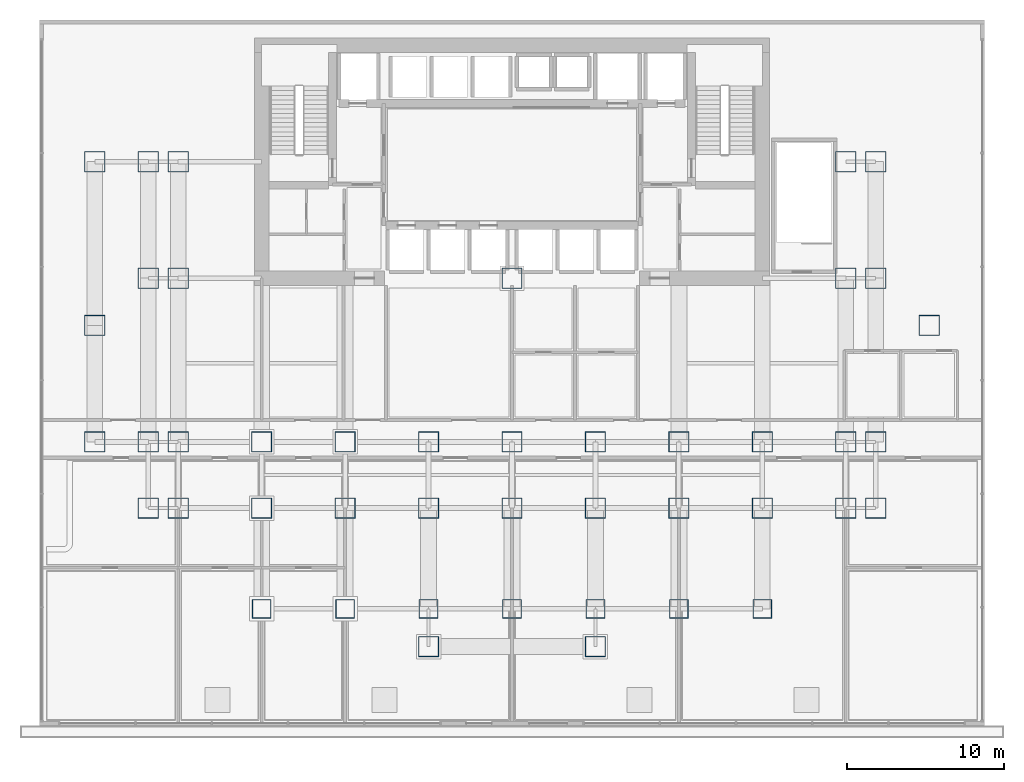
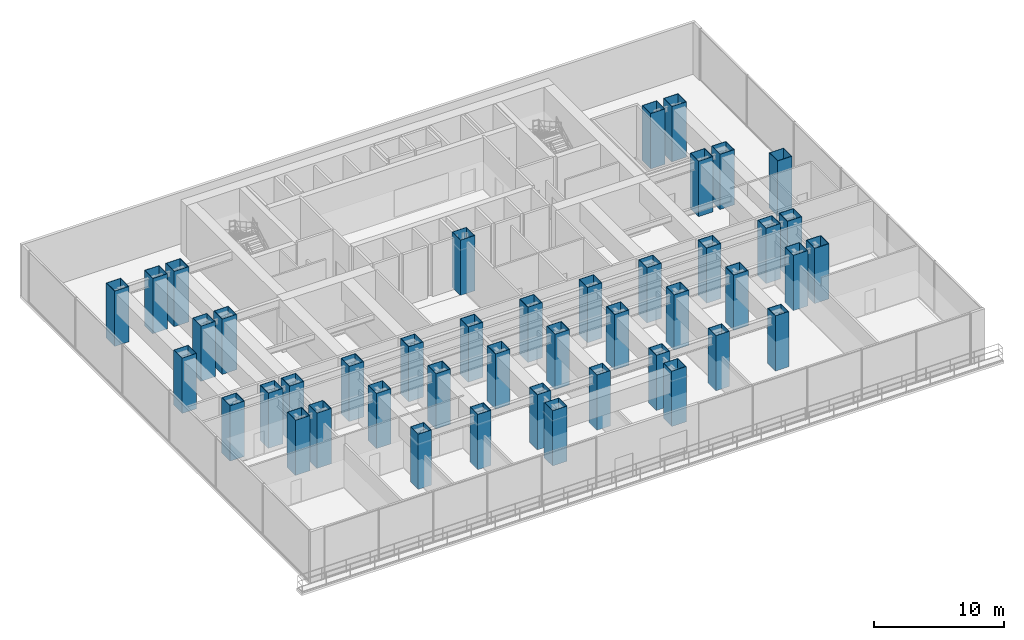
# One storey, part 1 of 12: 44 columns.
"""IFC4 building model written with IfcOpenShell, lengths in metres."""

from ifc_helpers import new_model, si_unit, direction, frame, origin, origin_2d, place, context, subcontext, project, spatial, hollow_rectangle, extrude, material, material_profile, profile_set, type_object, element, save


model = new_model("IFC4")

# Units and contexts
model_context = context("Model", 3, precision=1e-05, world=origin(), true_north=direction((0.0, 1.0)))
body_context = subcontext(model_context, "Body", "Model", "MODEL_VIEW")
ifc_project = project(units=[si_unit("LENGTHUNIT", "METRE"), si_unit("AREAUNIT", "SQUARE_METRE"), si_unit("VOLUMEUNIT", "CUBIC_METRE"), si_unit("PLANEANGLEUNIT", "RADIAN"), si_unit("MASSUNIT", "GRAM", prefix="KILO")], contexts=[model_context])

# Site, building, storey
site_placement = place(None, origin())
site = spatial("IfcSite", under=ifc_project, at=site_placement, CompositionType="ELEMENT")
building_placement = place(site_placement, origin())
building = spatial("IfcBuilding", under=site, at=building_placement, Name="Qianlan Lanfeng Residences", CompositionType="ELEMENT")
storey_placement = place(building_placement, frame((0.0, 0.0, 19.0)))
storey = spatial("IfcBuildingStorey", under=building, at=storey_placement, Name="L04", CompositionType="ELEMENT", Elevation=19.0)

# Columns
ifc_material = material(Name="Steel SM570 (420 MPa)", Category="steel")
ifc_material_profile_1 = material_profile(ifc_material, hollow_rectangle(XDim=1.300048828125, YDim=1.300048828125, WallThickness=0.0419921875, at=origin_2d()), Name="BOX 1300x1300x42")
ifc_profile_set_1 = profile_set([ifc_material_profile_1], Name="Steel SM570 (420 MPa)")
column_type_1 = type_object("IfcColumnType", Name="C-B1500", PredefinedType="COLUMN", material=ifc_profile_set_1)
for number, where, z_axis, x_axis, name in (
    (1, (21.199951171875, 1.800048828125, 0.0), (0.0, 0.0, 1.0), (1.0, 0.0, 0.0), "L04 Structural Column P_21.20_1.80"),
    (2, (31.800048828125, 1.800048828125, 0.0), (0.0, 0.0, 1.0), (1.0, 0.0, 0.0), "L04 Structural Column P_31.80_1.80"),
    (3, (26.5, 25.199951171875, 0.0), (0.0, 0.0, 1.0), (1.0, 0.0, 0.0), "L04 Structural Column CP_26.5_25.2"),
    (4, (10.60009765625, 14.800048828125, 0.0), (0.0, 0.0, 1.0), (1.0, 0.0, 0.0), "L04 Structural Column M_10.60_14.80"),
    (5, (10.60009765625, 10.60009765625, 0.0), (0.0, 0.0, 1.0), (1.0, 0.0, 0.0), "L04 Structural Column G_10.60_10.60"),
    (6, (15.89990234375, 14.800048828125, 0.0), (0.0, 0.0, 1.0), (1.0, 0.0, 0.0), "L04 Structural Column M_15.90_14.80"),
    (7, (15.89990234375, 10.60009765625, 0.0), (0.0, 0.0, 1.0), (1.0, 0.0, 0.0), "L04 Structural Column G_15.90_10.60"),
    (8, (21.199951171875, 14.800048828125, 0.0), (0.0, 0.0, 1.0), (1.0, 0.0, 0.0), "L04 Structural Column M_21.20_14.80"),
    (9, (21.199951171875, 10.60009765625, 0.0), (0.0, 0.0, 1.0), (1.0, 0.0, 0.0), "L04 Structural Column G_21.20_10.60"),
    (10, (26.5, 14.800048828125, 0.0), (0.0, 0.0, 1.0), (1.0, 0.0, 0.0), "L04 Structural Column M_26.50_14.80"),
    (11, (26.5, 10.60009765625, 0.0), (0.0, 0.0, 1.0), (1.0, 0.0, 0.0), "L04 Structural Column G_26.50_10.60"),
    (12, (31.800048828125, 14.800048828125, 0.0), (0.0, 0.0, 1.0), (1.0, 0.0, 0.0), "L04 Structural Column M_31.80_14.80"),
    (13, (31.800048828125, 10.60009765625, 0.0), (0.0, 0.0, 1.0), (1.0, 0.0, 0.0), "L04 Structural Column G_31.80_10.60"),
    (14, (37.10009765625, 14.800048828125, 0.0), (0.0, 0.0, 1.0), (1.0, 0.0, 0.0), "L04 Structural Column M_37.10_14.80"),
    (15, (37.10009765625, 10.60009765625, 0.0), (0.0, 0.0, 1.0), (1.0, 0.0, 0.0), "L04 Structural Column G_37.10_10.60"),
    (16, (42.39990234375, 14.800048828125, 0.0), (0.0, 0.0, 1.0), (1.0, 0.0, 0.0), "L04 Structural Column M_42.40_14.80"),
    (17, (42.39990234375, 10.60009765625, 0.0), (0.0, 0.0, 1.0), (1.0, 0.0, 0.0), "L04 Structural Column G_42.40_10.60"),
    (18, (3.39990234375, 10.60009765625, 0.0), (0.0, 0.0, 1.0), (1.0, 0.0, 0.0), "L04 Structural Column W_3.40_10.60"),
    (19, (3.39990234375, 14.800048828125, 0.0), (0.0, 0.0, 1.0), (1.0, 0.0, 0.0), "L04 Structural Column W_3.40_14.80"),
    (20, (3.39990234375, 25.199951171875, 0.0), (0.0, 0.0, 1.0), (1.0, 0.0, 0.0), "L04 Structural Column W_3.40_25.20"),
    (21, (3.39990234375, 32.60009765625, 0.0), (0.0, 0.0, 1.0), (1.0, 0.0, 0.0), "L04 Structural Column W_3.40_32.60"),
    (22, (5.300048828125, 10.60009765625, 0.0), (0.0, 0.0, 1.0), (1.0, 0.0, 0.0), "L04 Structural Column W_5.30_10.60"),
    (23, (5.300048828125, 14.800048828125, 0.0), (0.0, 0.0, 1.0), (1.0, 0.0, 0.0), "L04 Structural Column W_5.30_14.80"),
    (24, (5.300048828125, 25.199951171875, 0.0), (0.0, 0.0, 1.0), (1.0, 0.0, 0.0), "L04 Structural Column W_5.30_25.20"),
    (25, (5.300048828125, 32.60009765625, 0.0), (0.0, 0.0, 1.0), (1.0, 0.0, 0.0), "L04 Structural Column W_5.30_32.60"),
    (26, (47.699951171875, 10.60009765625, 0.0), (0.0, 0.0, 1.0), (1.0, 0.0, 0.0), "L04 Structural Column W_47.70_10.60"),
    (27, (47.699951171875, 14.800048828125, 0.0), (0.0, 0.0, 1.0), (1.0, 0.0, 0.0), "L04 Structural Column W_47.70_14.80"),
    (28, (47.699951171875, 25.199951171875, 0.0), (0.0, 0.0, 1.0), (1.0, 0.0, 0.0), "L04 Structural Column W_47.70_25.20"),
    (29, (47.699951171875, 32.60009765625, 0.0), (0.0, 0.0, 1.0), (1.0, 0.0, 0.0), "L04 Structural Column W_47.70_32.60"),
    (30, (49.60009765625, 10.60009765625, 0.0), (0.0, 0.0, 1.0), (1.0, 0.0, 0.0), "L04 Structural Column W_49.60_10.60"),
    (31, (49.60009765625, 14.800048828125, 0.0), (0.0, 0.0, 1.0), (1.0, 0.0, 0.0), "L04 Structural Column W_49.60_14.80"),
    (32, (49.60009765625, 25.199951171875, 0.0), (0.0, 0.0, 1.0), (1.0, 0.0, 0.0), "L04 Structural Column W_49.60_25.20"),
    (33, (49.60009765625, 32.60009765625, 0.0), (0.0, 0.0, 1.0), (1.0, 0.0, 0.0), "L04 Structural Column W_49.60_32.60"),
    (34, (0.0, 14.800048828125, 0.0), (0.0, 0.0, 1.0), (1.0, 0.0, 0.0), "L04 Structural Column P_+0.0_+14.8"),
    (35, (0.0, 22.199951171875, 0.0), (0.0, 0.0, 1.0), (1.0, 0.0, 0.0), "L04 Structural Column P_+0.0_+22.2"),
    (36, (0.0, 32.60009765625, 0.0), (0.0, 0.0, 1.0), (1.0, 0.0, 0.0), "L04 Structural Column P_+0.0_+32.6"),
    (37, (53.0, 22.199951171875, 0.0), (0.0, 0.0, 1.0), (1.0, 0.0, 0.0), "L04 Structural Column P_+53.0_+22.2"),
):
    element("IfcColumn", number, at=place(storey_placement, frame(where, z_axis=z_axis, x_axis=x_axis)), inside=storey, type_object=column_type_1, Name=name, PredefinedType="COLUMN", context=body_context, shape_type="SweptSolid", body=[
        extrude(hollow_rectangle(XDim=1.300048828125, YDim=1.300048828125, WallThickness=0.0419921875, at=origin_2d()), origin(), (0.0, 0.0, 1.0), 5.199951171875),
    ])
ifc_material_profile_2 = material_profile(ifc_material, hollow_rectangle(XDim=1.199951171875, YDim=1.199951171875, WallThickness=0.0400390625, at=origin_2d()), Name="BOX 1200x1200x40")
ifc_profile_set_2 = profile_set([ifc_material_profile_2], Name="Steel SM570 (420 MPa)")
column_type_2 = type_object("IfcColumnType", Name="CE-B1400", PredefinedType="COLUMN", material=ifc_profile_set_2)
for number, where, z_axis, x_axis, name in (
    (38, (10.60009765625, 4.199951171875, 0.0), (0.0, 0.0, 1.0), (1.0, 0.0, 0.0), "L04 Structural Column S_10.60_4.20"),
    (39, (15.89990234375, 4.199951171875, 0.0), (0.0, 0.0, 1.0), (1.0, 0.0, 0.0), "L04 Structural Column S_15.90_4.20"),
    (40, (21.199951171875, 4.199951171875, 0.0), (0.0, 0.0, 1.0), (1.0, 0.0, 0.0), "L04 Structural Column S_21.20_4.20"),
    (41, (26.5, 4.199951171875, 0.0), (0.0, 0.0, 1.0), (1.0, 0.0, 0.0), "L04 Structural Column S_26.50_4.20"),
    (42, (31.800048828125, 4.199951171875, 0.0), (0.0, 0.0, 1.0), (1.0, 0.0, 0.0), "L04 Structural Column S_31.80_4.20"),
    (43, (37.10009765625, 4.199951171875, 0.0), (0.0, 0.0, 1.0), (1.0, 0.0, 0.0), "L04 Structural Column S_37.10_4.20"),
    (44, (42.39990234375, 4.199951171875, 0.0), (0.0, 0.0, 1.0), (1.0, 0.0, 0.0), "L04 Structural Column S_42.40_4.20"),
):
    element("IfcColumn", number, at=place(storey_placement, frame(where, z_axis=z_axis, x_axis=x_axis)), inside=storey, type_object=column_type_2, Name=name, PredefinedType="COLUMN", context=body_context, shape_type="SweptSolid", body=[
        extrude(hollow_rectangle(XDim=1.199951171875, YDim=1.199951171875, WallThickness=0.0400390625, at=origin_2d()), origin(), (0.0, 0.0, 1.0), 5.199951171875),
    ])

save(model, "model.ifc")
